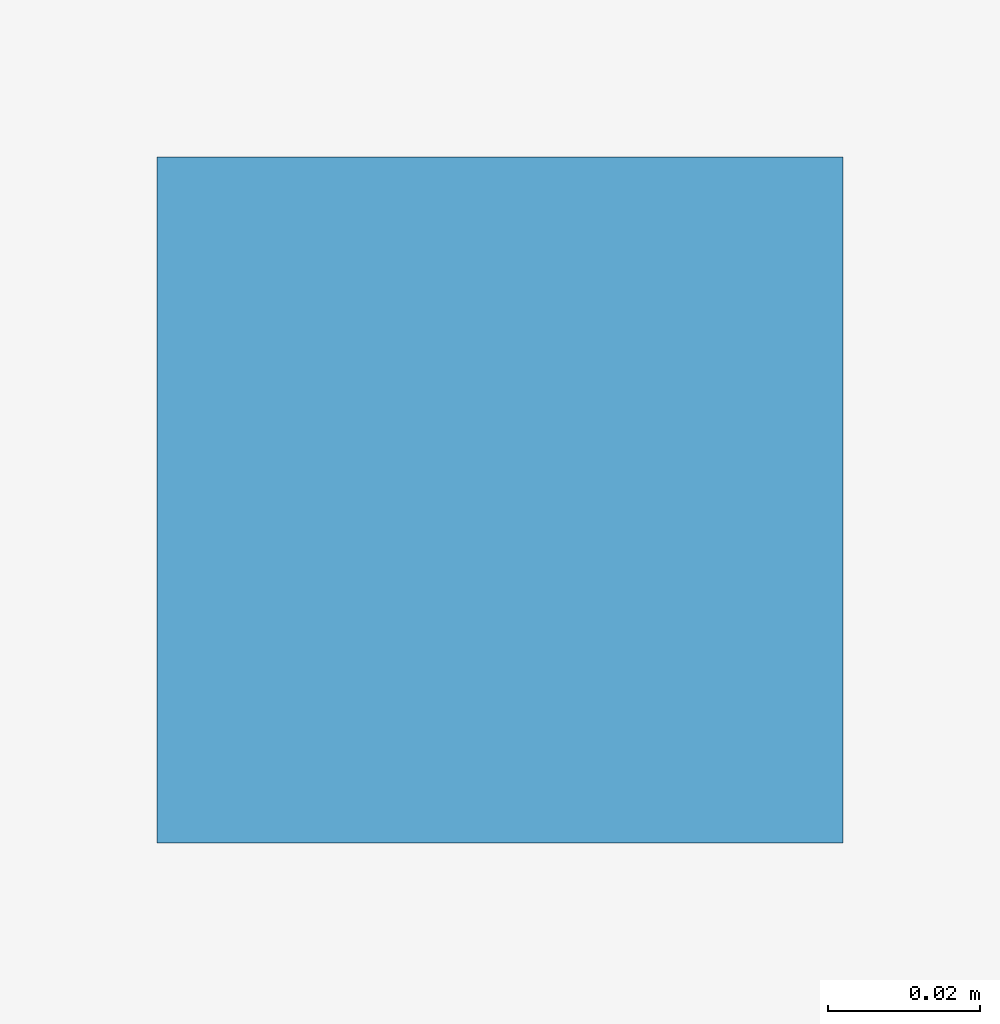
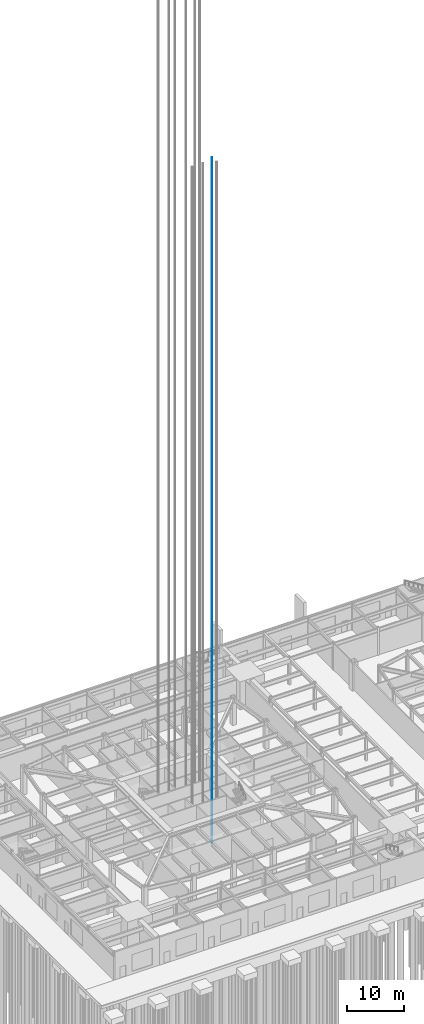
# One storey, part 26 of 37: 1 discrete accessory.
"""IFC4 building model written with IfcOpenShell, lengths in metres."""

from ifc_helpers import new_model, si_unit, direction, frame, origin, origin_2d, place, context, subcontext, project, spatial, rectangle, extrude, material, element, save


model = new_model("IFC4")

# Units and contexts
model_context = context("Model", 3, precision=1e-05, world=origin(), true_north=direction((0.0, 1.0)))
body_context = subcontext(model_context, "Body", "Model", "MODEL_VIEW")
ifc_project = project(units=[si_unit("LENGTHUNIT", "METRE"), si_unit("AREAUNIT", "SQUARE_METRE"), si_unit("VOLUMEUNIT", "CUBIC_METRE"), si_unit("PLANEANGLEUNIT", "RADIAN"), si_unit("MASSUNIT", "GRAM", prefix="KILO")], contexts=[model_context])

# Site, building, storey
site_placement = place(None, origin())
site = spatial("IfcSite", under=ifc_project, at=site_placement, CompositionType="ELEMENT")
building_placement = place(site_placement, origin())
building = spatial("IfcBuilding", under=site, at=building_placement, Name="Iwan Alto Co-Living Towers", CompositionType="ELEMENT")
storey_placement = place(building_placement, origin())
storey = spatial("IfcBuildingStorey", under=building, at=storey_placement, Name="L00", CompositionType="ELEMENT", Elevation=0.0)

# Discrete accessory
ifc_material = material(Name="Steel ASTM A36", Category="steel")
placement = place(storey_placement, frame((3.4375, -3.0, 0.0), z_axis=(0.0, 0.0, 1.0), x_axis=(1.0, 0.0, 0.0)))
discrete_accessory_placement = place(placement, origin())
element("IfcDiscreteAccessory", 1, at=discrete_accessory_placement, inside=storey, material=ifc_material, Name="Lift P2-4 guide rail 2", ObjectType="Lift guide rail", PredefinedType="USERDEFINED", context=body_context, shape_type="SweptSolid", body=[
    extrude(rectangle(XDim=0.09, YDim=0.09, at=origin_2d()), frame((0.0, 0.85009765625, -5.0)), (0.0, 0.0, 1.0), 147.39990234375),
])

save(model, "model.ifc")
